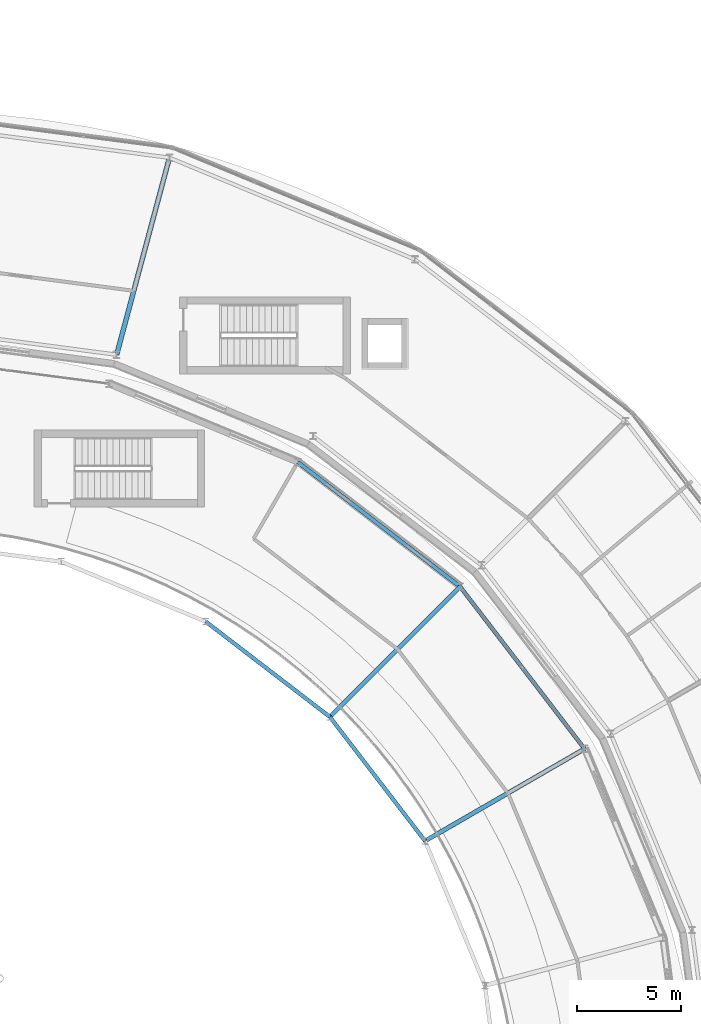
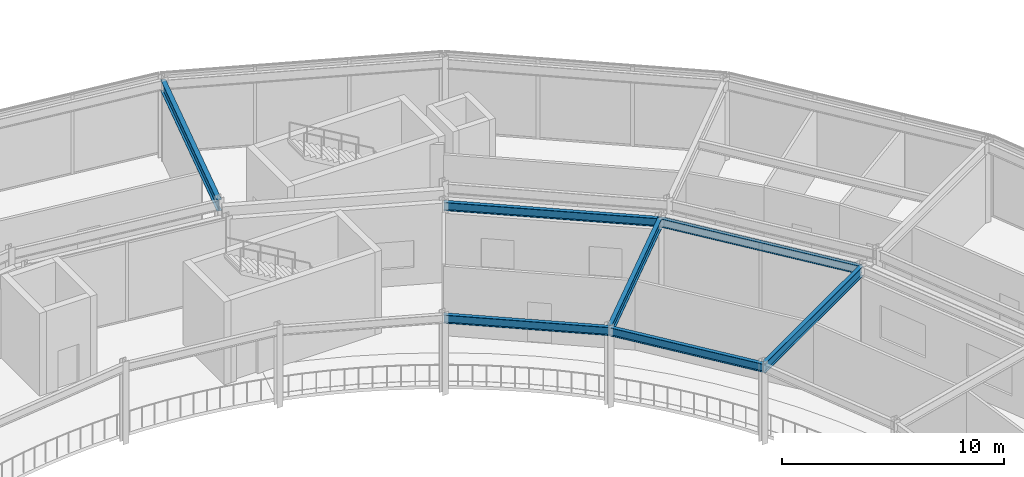
# One storey, part 66 of 133: 7 beams.
"""IFC4 building model written with IfcOpenShell, lengths in metres."""

import ifcopenshell
import ifcopenshell.guid

model = None  # the IFC model being written
_history = None  # IfcOwnerHistory: only IFC2X3 demands one
_inside = {}  # id of a spatial element -> (the spatial element, [elements in it])
_under = {}  # id of a project, library or spatial element -> (it, [spatial elements below it])
_declared = {}  # id of a project -> (the project, [libraries it declares])
_typed = {}  # id of a type object -> (the type object, [elements of that type])
_made_of = {}  # id of a material, layer set ... -> (it, [elements and type objects made of it])


def new_model(schema):
    """Start an empty IFC model of exactly this schema.

    Asked for "IFC4X3", IfcOpenShell would pick the latest addendum, in which some entities
    have other attributes; the version numbers below select the first issue.
    IFC2X3 requires an IfcOwnerHistory on every rooted entity: one is made here for all.
    """
    global model, _history
    if schema == "IFC4X3":
        model = ifcopenshell.file(schema_version=(4, 3, 0, 0))
    else:
        model = ifcopenshell.file(schema=schema)
    _inside.clear()
    _under.clear()
    _declared.clear()
    _typed.clear()
    _made_of.clear()
    _history = None
    if model.schema == "IFC2X3":
        org = make("IfcOrganization", Name="unknown")
        user = make(
            "IfcPersonAndOrganization",
            ThePerson=make("IfcPerson", FamilyName="unknown"),
            TheOrganization=org,
        )
        app = make(
            "IfcApplication",
            ApplicationDeveloper=org,
            Version="unknown",
            ApplicationFullName="unknown",
            ApplicationIdentifier="unknown",
        )
        _history = make(
            "IfcOwnerHistory",
            OwningUser=user,
            OwningApplication=app,
            ChangeAction="ADDED",
            CreationDate=0,
        )
    return model


def make(cls, **values):
    """One entity of the class cls with the attributes given. An attribute that is None is left unset."""
    return model.create_entity(
        cls, **{name: value for name, value in values.items() if value is not None}
    )


def rooted(cls, **values):
    """An entity with a GlobalId (a new one), such as an element, a storey or a relation."""
    return make(cls, GlobalId=ifcopenshell.guid.new(), OwnerHistory=_history, **values)


def si_unit(unit_type, name, prefix=None):
    """IfcSIUnit, for example si_unit("LENGTHUNIT", "METRE", prefix="MILLI")."""
    return make("IfcSIUnit", UnitType=unit_type, Prefix=prefix, Name=name)


def assignment(units):
    """IfcUnitAssignment: the units of a project."""
    return None if units is None else make("IfcUnitAssignment", Units=units)


def point(xyz):
    """IfcCartesianPoint."""
    return None if xyz is None else make("IfcCartesianPoint", Coordinates=xyz)


def direction(xyz):
    """IfcDirection."""
    return None if xyz is None else make("IfcDirection", DirectionRatios=xyz)


def frame(location, z_axis=None, x_axis=None):
    """IfcAxis2Placement3D, a coordinate frame: its origin and axes. An axis left out is left unset."""
    return make(
        "IfcAxis2Placement3D",
        Location=point(location),
        Axis=direction(z_axis),
        RefDirection=direction(x_axis),
    )


def frame_2d(location, x_axis=None):
    """IfcAxis2Placement2D, a coordinate frame in the plane: its origin and x axis."""
    return make(
        "IfcAxis2Placement2D", Location=point(location), RefDirection=direction(x_axis)
    )


def origin():
    """The frame at (0, 0, 0) with its axes left unset."""
    return frame((0.0, 0.0, 0.0))


def origin_2d():
    """The frame at (0, 0) in the plane with its x axis left unset."""
    return frame_2d((0.0, 0.0))


def place(relative_to, where):
    """IfcLocalPlacement: puts the frame where relative to a parent placement (None: the world)."""
    return make(
        "IfcLocalPlacement", PlacementRelTo=relative_to, RelativePlacement=where
    )


def context(
    kind, dimensions, precision=None, world=None, true_north=None, identifier=None
):
    """IfcGeometricRepresentationContext, for example the 3D "Model" context."""
    return make(
        "IfcGeometricRepresentationContext",
        ContextIdentifier=identifier,
        ContextType=kind,
        CoordinateSpaceDimension=dimensions,
        Precision=precision,
        WorldCoordinateSystem=world,
        TrueNorth=true_north,
    )


def subcontext(parent, identifier, kind, view, scale=None):
    """IfcGeometricRepresentationSubContext, for example "Body" below "Model"."""
    return make(
        "IfcGeometricRepresentationSubContext",
        ContextIdentifier=identifier,
        ContextType=kind,
        ParentContext=parent,
        TargetScale=scale,
        TargetView=view,
    )


def project(units=None, contexts=None):
    """IfcProject with its units and contexts."""
    return rooted(
        "IfcProject",
        Name="project",
        RepresentationContexts=contexts,
        UnitsInContext=assignment(units),
    )


def spatial(cls, under=None, at=None, **own):
    """A site, building, storey or space (cls), placed at a placement, below another one or the project."""
    s = rooted(cls, ObjectPlacement=at, **own)
    if under is not None:
        _under.setdefault(under.id(), (under, []))[1].append(s)
    return s


def profile(cls, at=None, kind="AREA", **sizes):
    """A parametric profile (cls). Its sizes go by their IFC names, for example OverallWidth=200.0."""
    return make(cls, ProfileType=kind, Position=at, **sizes)


def i_section(**sizes):
    """IfcIShapeProfileDef."""
    return profile("IfcIShapeProfileDef", **sizes)


def extrude(swept, where, along, depth):
    """IfcExtrudedAreaSolid: the profile swept, set in the frame where, extruded along a direction by depth."""
    return make(
        "IfcExtrudedAreaSolid",
        SweptArea=swept,
        Position=where,
        ExtrudedDirection=direction(along),
        Depth=depth,
    )


def shape(context_of_items, identifier, shape_type, items):
    """IfcShapeRepresentation: the items that make up one representation, for example the "Body"."""
    return make(
        "IfcShapeRepresentation",
        ContextOfItems=context_of_items,
        RepresentationIdentifier=identifier,
        RepresentationType=shape_type,
        Items=items,
    )


def material(Name=None, Category=None):
    """IfcMaterial."""
    return make("IfcMaterial", Name=Name, Category=Category)


def material_profile(
    of_material, cross_section, Name=None, Category=None, Priority=None
):
    """IfcMaterialProfile: a cross section and its material."""
    return make(
        "IfcMaterialProfile",
        Name=Name,
        Material=of_material,
        Profile=cross_section,
        Priority=Priority,
        Category=Category,
    )


def profile_set(profiles, Name=None, composite=None):
    """IfcMaterialProfileSet."""
    return make(
        "IfcMaterialProfileSet",
        Name=Name,
        MaterialProfiles=profiles,
        CompositeProfile=composite,
    )


def made_of(thing, what):
    """Note that an element or type object is made of a material, layer set ...; save() writes the relation."""
    if what is not None:
        _made_of.setdefault(what.id(), (what, []))[1].append(thing)
    return thing


def type_object(cls, material=None, **own):
    """A type object (cls), such as IfcWallType, which elements share."""
    return made_of(rooted(cls, **own), material)


def element(
    cls,
    number,
    at=None,
    inside=None,
    cuts=None,
    type_object=None,
    material=None,
    context=None,
    identifier="Body",
    shape_type=None,
    held_by="IfcProductDefinitionShape",
    body=None,
    shapes=None,
    **own,
):
    """One element of the class cls, such as IfcWall. Its Tag is "e" and its number.

    at: its placement. inside: the storey or other place that contains it. cuts: it is an
    opening in that element (IfcRelVoidsElement). A single representation is given by context,
    identifier, shape_type and body (its items); several are given by shapes. held_by: the class
    of the entity that holds the representations. save() writes the other relations.
    """
    e = rooted(cls, Tag="e%d" % number, ObjectPlacement=at, **own)
    if body is not None:
        shapes = [shape(context, identifier, shape_type, body)]
    if shapes is not None:
        e.Representation = make(held_by, Representations=shapes)
    if inside is not None:
        _inside.setdefault(inside.id(), (inside, []))[1].append(e)
    if cuts is not None:
        rooted(
            "IfcRelVoidsElement", RelatingBuildingElement=cuts, RelatedOpeningElement=e
        )
    if type_object is not None:
        _typed.setdefault(type_object.id(), (type_object, []))[1].append(e)
    return made_of(e, material)


def aggregate(whole, parts):
    """IfcRelAggregates: a whole, such as a stair, and the parts it consists of."""
    return rooted("IfcRelAggregates", RelatingObject=whole, RelatedObjects=parts)


def save(model, path):
    """Write the relations noted so far, then the file.

    IfcRelAggregates (storeys below a building ...), IfcRelContainedInSpatialStructure (elements
    in a storey), IfcRelDefinesByType, IfcRelAssociatesMaterial and IfcRelDeclares: one each for
    every whole, place, type object, material and project.
    """
    for whole, parts in _under.values():
        aggregate(whole, parts)
    for where, things in _inside.values():
        rooted(
            "IfcRelContainedInSpatialStructure",
            RelatedElements=things,
            RelatingStructure=where,
        )
    for kind, things in _typed.values():
        rooted("IfcRelDefinesByType", RelatedObjects=things, RelatingType=kind)
    for what, things in _made_of.values():
        rooted("IfcRelAssociatesMaterial", RelatedObjects=things, RelatingMaterial=what)
    for by, libraries in _declared.values():
        rooted("IfcRelDeclares", RelatingContext=by, RelatedDefinitions=libraries)
    model.write(path)


model = new_model("IFC4")

# Units and contexts
model_context = context("Model", 3, precision=1e-05, world=origin(), true_north=direction((0.0, 1.0)))
body_context = subcontext(model_context, "Body", "Model", "MODEL_VIEW")
ifc_project = project(units=[si_unit("LENGTHUNIT", "METRE"), si_unit("AREAUNIT", "SQUARE_METRE"), si_unit("VOLUMEUNIT", "CUBIC_METRE"), si_unit("PLANEANGLEUNIT", "RADIAN"), si_unit("MASSUNIT", "GRAM", prefix="KILO")], contexts=[model_context])

# Site, building, storey
site_placement = place(None, origin())
site = spatial("IfcSite", under=ifc_project, at=site_placement, CompositionType="ELEMENT")
building_placement = place(site_placement, origin())
building = spatial("IfcBuilding", under=site, at=building_placement, Name="Almandine Court Research Institute", CompositionType="ELEMENT")
storey_placement = place(building_placement, frame((0.0, 0.0, 9.800048828125)))
storey = spatial("IfcBuildingStorey", under=building, at=storey_placement, Name="L02", CompositionType="ELEMENT", Elevation=9.800048828125)

# Beams
ifc_material = material(Name="Steel ASTM A992 Grade 50", Category="steel")
ifc_material_profile_1 = material_profile(ifc_material, i_section(OverallWidth=0.18994140625, OverallDepth=0.45703125, WebThickness=0.009033203125, FlangeThickness=0.014892578125, at=origin_2d()), Name="W460x74")
ifc_profile_set_1 = profile_set([ifc_material_profile_1], Name="Steel ASTM A992 Grade 50")
beam_type_1 = type_object("IfcBeamType", Name="Beam-B-01", PredefinedType="BEAM", material=ifc_profile_set_1)
beam_1_placement = place(storey_placement, frame((119.60595703125, 74.824951171875, 4.140869140625), z_axis=(-0.608711534396, 0.793391623282, 0.0), x_axis=(-0.793391623282, -0.608711534396, 0.0)))
element("IfcBeam", 1, at=beam_1_placement, inside=storey, type_object=beam_type_1, Name="L02 Atrium Outer Ring Beam", PredefinedType="BEAM", context=body_context, shape_type="SweptSolid", body=[
    extrude(i_section(OverallWidth=0.18994140625, OverallDepth=0.45703125, WebThickness=0.009033203125, FlangeThickness=0.014892578125, at=origin_2d()), origin(), (0.0, 0.0, 1.0), 9.828857421875),
])
beam_2_placement = place(storey_placement, frame((111.94189453125, 70.39990234375, 4.140869140625), z_axis=(-0.608738941187, 0.793370595297, 0.0), x_axis=(-0.793370595297, -0.608738941187, 0.0)))
element("IfcBeam", 2, at=beam_2_placement, inside=storey, type_object=beam_type_1, Name="L02 Atrium Gallery Edge Beam", PredefinedType="BEAM", context=body_context, shape_type="SweptSolid", body=[
    extrude(i_section(OverallWidth=0.18994140625, OverallDepth=0.45703125, WebThickness=0.009033203125, FlangeThickness=0.014892578125, at=origin_2d()), origin(), (0.0, 0.0, 1.0), 7.5185546875),
])
beam_3_placement = place(storey_placement, frame((113.623046875, 82.623046875, 4.140869140625), z_axis=(-0.793391623282, 0.608711534396, 0.0), x_axis=(-0.608711534396, -0.793391623282, 0.0)))
element("IfcBeam", 3, at=beam_3_placement, inside=storey, type_object=beam_type_1, Name="L02 Atrium Outer Ring Beam", PredefinedType="BEAM", context=body_context, shape_type="SweptSolid", body=[
    extrude(i_section(OverallWidth=0.18994140625, OverallDepth=0.45703125, WebThickness=0.009033203125, FlangeThickness=0.014892578125, at=origin_2d()), origin(), (0.0, 0.0, 1.0), 9.828857421875),
])
beam_4_placement = place(storey_placement, frame((107.364990234375, 76.364990234375, 4.140869140625), z_axis=(-0.793370595297, 0.608738941187, 0.0), x_axis=(-0.608738941187, -0.793370595297, 0.0)))
element("IfcBeam", 4, at=beam_4_placement, inside=storey, type_object=beam_type_1, Name="L02 Atrium Gallery Edge Beam", PredefinedType="BEAM", context=body_context, shape_type="SweptSolid", body=[
    extrude(i_section(OverallWidth=0.18994140625, OverallDepth=0.45703125, WebThickness=0.009033203125, FlangeThickness=0.014892578125, at=origin_2d()), origin(), (0.0, 0.0, 1.0), 7.5185546875),
])
ifc_material_profile_2 = material_profile(ifc_material, i_section(OverallWidth=0.22998046875, OverallDepth=0.616943359375, WebThickness=0.012939453125, FlangeThickness=0.02197265625, at=origin_2d()), Name="W610x140")
ifc_profile_set_2 = profile_set([ifc_material_profile_2], Name="Steel ASTM A992 Grade 50")
beam_type_2 = type_object("IfcBeamType", Name="Beam-G-02", PredefinedType="BEAM", material=ifc_profile_set_2)
beam_5_placement = place(storey_placement, frame((97.1201171875, 93.76806640625, 4.06103515625), z_axis=(0.258774274024, 0.965937821551, 0.0), x_axis=(-0.965937821551, 0.258774274024, 0.0)))
element("IfcBeam", 5, at=beam_5_placement, inside=storey, type_object=beam_type_2, Name="L02 Drum Radial Girder 05", PredefinedType="BEAM", context=body_context, shape_type="SweptSolid", body=[
    extrude(i_section(OverallWidth=0.22998046875, OverallDepth=0.616943359375, WebThickness=0.012939453125, FlangeThickness=0.02197265625, at=origin_2d()), origin(), (0.0, 0.0, 1.0), 9.799560546875),
])
ifc_material_profile_3 = material_profile(ifc_material, i_section(OverallWidth=0.2109375, OverallDepth=0.5390625, WebThickness=0.011962890625, FlangeThickness=0.01904296875, at=origin_2d()), Name="W530x109")
ifc_profile_set_3 = profile_set([ifc_material_profile_3], Name="Steel ASTM A992 Grade 50")
beam_type_3 = type_object("IfcBeamType", Name="Beam-G-04", PredefinedType="BEAM", material=ifc_profile_set_3)
beam_6_placement = place(storey_placement, frame((111.94189453125, 70.39990234375, 4.099853515625), z_axis=(0.866015604063, 0.50001697323, 0.0), x_axis=(-0.50001697323, 0.866015604063, 0.0)))
element("IfcBeam", 6, at=beam_6_placement, inside=storey, type_object=beam_type_3, Name="L02 Atrium Gallery Radial Girder", PredefinedType="BEAM", context=body_context, shape_type="SweptSolid", body=[
    extrude(i_section(OverallWidth=0.2109375, OverallDepth=0.5390625, WebThickness=0.011962890625, FlangeThickness=0.01904296875, at=origin_2d()), origin(), (0.0, 0.0, 1.0), 8.849853515625),
])
beam_7_placement = place(storey_placement, frame((107.364990234375, 76.364990234375, 4.099853515625), z_axis=(0.707106781187, 0.707106781187, 0.0), x_axis=(-0.707106781187, 0.707106781187, 0.0)))
element("IfcBeam", 7, at=beam_7_placement, inside=storey, type_object=beam_type_3, Name="L02 Atrium Gallery Radial Girder", PredefinedType="BEAM", context=body_context, shape_type="SweptSolid", body=[
    extrude(i_section(OverallWidth=0.2109375, OverallDepth=0.5390625, WebThickness=0.011962890625, FlangeThickness=0.01904296875, at=origin_2d()), origin(), (0.0, 0.0, 1.0), 8.850341796875),
])

save(model, "model.ifc")
